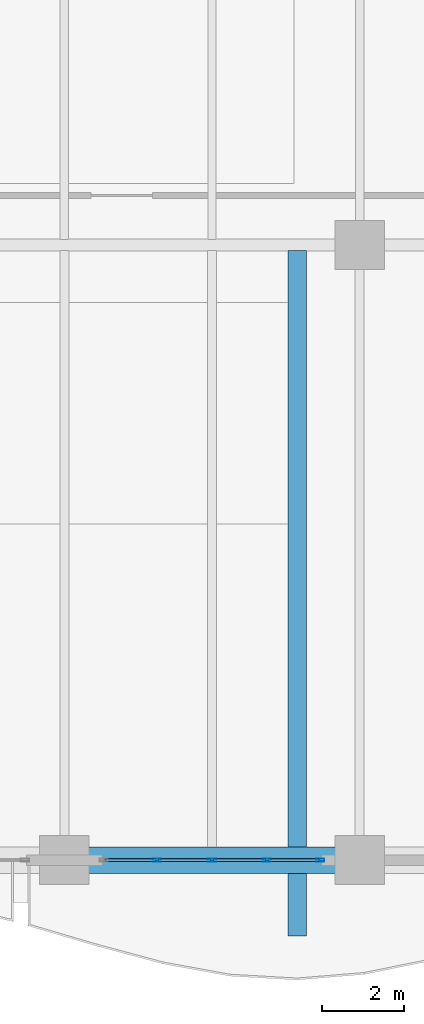
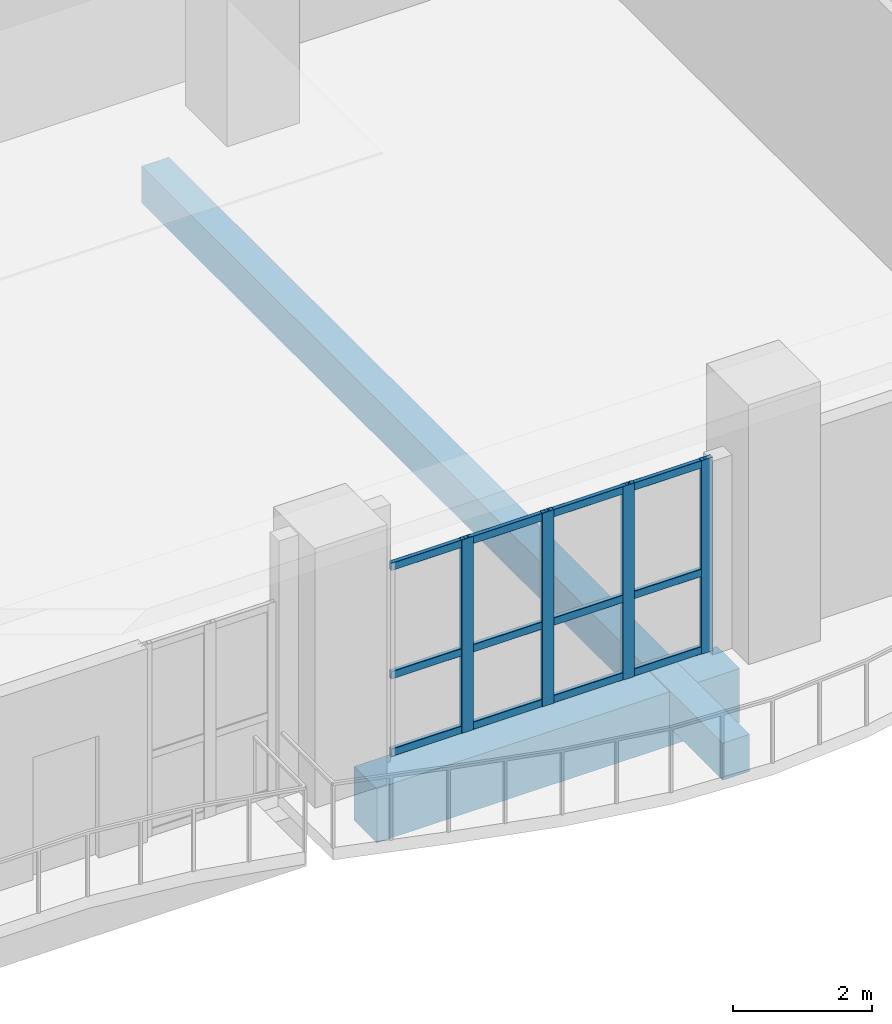
# One storey, part 11 of 37: 16 members, 2 beams, 1 element without a shape of its own.
"""IFC4 building model written with IfcOpenShell, lengths in metres."""

from ifc_helpers import new_model, si_unit, direction, frame, origin, origin_2d, place, context, subcontext, project, spatial, rectangle, hollow_rectangle, extrude, material, layer, layer_set, material_profile, profile_set, type_object, element, aggregate, save


model = new_model("IFC4")

# Units and contexts
model_context = context("Model", 3, precision=1e-05, world=origin(), true_north=direction((0.0, 1.0)))
body_context = subcontext(model_context, "Body", "Model", "MODEL_VIEW")
ifc_project = project(units=[si_unit("LENGTHUNIT", "METRE"), si_unit("AREAUNIT", "SQUARE_METRE"), si_unit("VOLUMEUNIT", "CUBIC_METRE"), si_unit("PLANEANGLEUNIT", "RADIAN"), si_unit("MASSUNIT", "GRAM", prefix="KILO")], contexts=[model_context])

# Site, building, storey
site_placement = place(None, origin())
site = spatial("IfcSite", under=ifc_project, at=site_placement, CompositionType="ELEMENT")
building_placement = place(site_placement, origin())
building = spatial("IfcBuilding", under=site, at=building_placement, Name="Kaelvorn Grand Hotel", CompositionType="ELEMENT")
storey_placement = place(building_placement, frame((0.0, 0.0, 130.550048828125)))
storey = spatial("IfcBuildingStorey", under=building, at=storey_placement, Name="L31", CompositionType="ELEMENT", Elevation=130.550048828125)

# Beams
ifc_material_1 = material(Name="Concrete C40/50", Category="concrete")
ifc_material_profile_1 = material_profile(ifc_material_1, rectangle(XDim=0.449951171875, YDim=0.64990234375, at=origin_2d()), Name="RC RIB 450x650")
ifc_profile_set_1 = profile_set([ifc_material_profile_1], Name="Concrete C40/50")
beam_type_1 = type_object("IfcBeamType", Name="BM-RIB-450x650-C40", PredefinedType="SPANDREL", material=ifc_profile_set_1)
beam_1_placement = place(storey_placement, frame((36.275634765625, -1.85009765625, -0.545166015625), z_axis=(0.0, 1.0, 0.0), x_axis=(-1.0, 0.0, 0.0)))
element("IfcBeam", 1, at=beam_1_placement, inside=storey, type_object=beam_type_1, Name="L31 Cantilevered Balcony Back-Span Rib RB1-2", PredefinedType="SPANDREL", context=body_context, shape_type="SweptSolid", body=[
    extrude(rectangle(XDim=0.449951171875, YDim=0.64990234375, at=origin_2d()), origin(), (0.0, 0.0, 1.0), 16.718994140625),
])
ifc_material_2 = material(Name="Concrete C60/75", Category="concrete")
ifc_material_profile_2 = material_profile(ifc_material_2, rectangle(XDim=0.64990234375, YDim=0.949951171875, at=origin_2d()), Name="RC SPANDREL 650x950")
ifc_profile_set_2 = profile_set([ifc_material_profile_2], Name="Concrete C60/75")
beam_type_2 = type_object("IfcBeamType", Name="BM-SP-650x950-C60", PredefinedType="SPANDREL", material=ifc_profile_set_2)
beam_2_placement = place(storey_placement, frame((31.18505859375, 0.0, -0.715087890625), z_axis=(1.0, 0.0, 0.0), x_axis=(0.0, 1.0, 0.0)))
element("IfcBeam", 2, at=beam_2_placement, inside=storey, type_object=beam_type_2, Name="L31 South Perimeter Spandrel 05", PredefinedType="SPANDREL", context=body_context, shape_type="SweptSolid", body=[
    extrude(rectangle(XDim=0.64990234375, YDim=0.949951171875, at=origin_2d()), origin(), (0.0, 0.0, 1.0), 6.030029296875),
])

# Curtain wall, members
ifc_material_3 = material(Name="Anodised Aluminium", Category="aluminium")
ifc_layer = layer(ifc_material_3, 0.199951171875)
ifc_layer_set = layer_set([ifc_layer], Name="Anodised Aluminium")
curtain_wall_type = type_object("IfcCurtainWallType", Name="CW-SYS3", PredefinedType="NOTDEFINED", material=ifc_layer_set)
curtain_wall_placement = place(storey_placement, origin())
curtain_wall = element("IfcCurtainWall", 3, at=curtain_wall_placement, inside=storey, type_object=curtain_wall_type, Name="L31 Unitised Curtain Wall CW3 (CW-L31-SB2-02)", PredefinedType="NOTDEFINED")
ifc_material_profile_3 = material_profile(ifc_material_3, hollow_rectangle(XDim=0.074951171875, YDim=0.199951171875, WallThickness=0.00390625, InnerFilletRadius=0.00390625, OuterFilletRadius=0.008056640625, at=origin_2d()), Name="ALU MULL 75x200")
ifc_profile_set_3 = profile_set([ifc_material_profile_3], Name="Anodised Aluminium")
member_type_1 = type_object("IfcMemberType", Name="CW-SYS3-MULL", PredefinedType="MULLION", material=ifc_profile_set_3)
member_1_placement = place(storey_placement, frame((32.860107421875, 0.0, 0.0), z_axis=(0.0, 0.0, 1.0), x_axis=(0.0, 1.0, 0.0)))
member_1 = element("IfcMember", 4, at=member_1_placement, type_object=member_type_1, Name="CW3 mullion 2", PredefinedType="MULLION", context=body_context, shape_type="SweptSolid", body=[
    extrude(hollow_rectangle(XDim=0.074951171875, YDim=0.199951171875, WallThickness=0.00390625, InnerFilletRadius=0.00390625, OuterFilletRadius=0.008056640625, at=origin_2d()), origin(), (0.0, 0.0, 1.0), 3.39990234375),
])
member_2_placement = place(storey_placement, frame((34.199951171875, 0.0, 0.0), z_axis=(0.0, 0.0, 1.0), x_axis=(0.0, 1.0, 0.0)))
member_2 = element("IfcMember", 5, at=member_2_placement, type_object=member_type_1, Name="CW3 mullion 3", PredefinedType="MULLION", context=body_context, shape_type="SweptSolid", body=[
    extrude(hollow_rectangle(XDim=0.074951171875, YDim=0.199951171875, WallThickness=0.00390625, InnerFilletRadius=0.00390625, OuterFilletRadius=0.008056640625, at=origin_2d()), origin(), (0.0, 0.0, 1.0), 3.39990234375),
])
member_3_placement = place(storey_placement, frame((35.5400390625, 0.0, 0.0), z_axis=(0.0, 0.0, 1.0), x_axis=(0.0, 1.0, 0.0)))
member_3 = element("IfcMember", 6, at=member_3_placement, type_object=member_type_1, Name="CW3 mullion 4", PredefinedType="MULLION", context=body_context, shape_type="SweptSolid", body=[
    extrude(hollow_rectangle(XDim=0.074951171875, YDim=0.199951171875, WallThickness=0.00390625, InnerFilletRadius=0.00390625, OuterFilletRadius=0.008056640625, at=origin_2d()), origin(), (0.0, 0.0, 1.0), 3.39990234375),
])
member_4_placement = place(storey_placement, frame((36.842529296875, 0.0, 0.0), z_axis=(0.0, 0.0, 1.0), x_axis=(0.0, 1.0, 0.0)))
member_4 = element("IfcMember", 7, at=member_4_placement, type_object=member_type_1, Name="CW3 mullion 5", PredefinedType="MULLION", context=body_context, shape_type="SweptSolid", body=[
    extrude(hollow_rectangle(XDim=0.074951171875, YDim=0.199951171875, WallThickness=0.00390625, InnerFilletRadius=0.00390625, OuterFilletRadius=0.008056640625, at=origin_2d()), origin(), (0.0, 0.0, 1.0), 3.39990234375),
])
ifc_material_profile_4 = material_profile(ifc_material_3, hollow_rectangle(XDim=0.070068359375, YDim=0.135009765625, WallThickness=0.00341796875, InnerFilletRadius=0.00341796875, OuterFilletRadius=0.007080078125, at=origin_2d()), Name="ALU TRAN 70x135")
ifc_profile_set_4 = profile_set([ifc_material_profile_4], Name="Anodised Aluminium")
member_type_2 = type_object("IfcMemberType", Name="CW-SYS3-TRAN", PredefinedType="NOTDEFINED", material=ifc_profile_set_4)
member_5_placement = place(storey_placement, frame((31.594970703125, 0.0, 0.0673828125), z_axis=(1.0, 0.0, 0.0), x_axis=(0.0, 1.0, 0.0)))
member_5 = element("IfcMember", 8, at=member_5_placement, type_object=member_type_2, Name="CW3 transom 1.1", ObjectType="TRANSOM", PredefinedType="USERDEFINED", context=body_context, shape_type="SweptSolid", body=[
    extrude(hollow_rectangle(XDim=0.070068359375, YDim=0.135009765625, WallThickness=0.00341796875, InnerFilletRadius=0.00341796875, OuterFilletRadius=0.007080078125, at=origin_2d()), origin(), (0.0, 0.0, 1.0), 1.2275390625),
])
member_6_placement = place(storey_placement, frame((31.594970703125, 0.0, 1.427978515625), z_axis=(1.0, 0.0, 0.0), x_axis=(0.0, 1.0, 0.0)))
member_6 = element("IfcMember", 9, at=member_6_placement, type_object=member_type_2, Name="CW3 transom 1.2", ObjectType="TRANSOM", PredefinedType="USERDEFINED", context=body_context, shape_type="SweptSolid", body=[
    extrude(hollow_rectangle(XDim=0.070068359375, YDim=0.135009765625, WallThickness=0.00341796875, InnerFilletRadius=0.00341796875, OuterFilletRadius=0.007080078125, at=origin_2d()), origin(), (0.0, 0.0, 1.0), 1.2275390625),
])
member_7_placement = place(storey_placement, frame((31.594970703125, 0.0, 3.33251953125), z_axis=(1.0, 0.0, 0.0), x_axis=(0.0, 1.0, 0.0)))
member_7 = element("IfcMember", 10, at=member_7_placement, type_object=member_type_2, Name="CW3 transom 1.3", ObjectType="TRANSOM", PredefinedType="USERDEFINED", context=body_context, shape_type="SweptSolid", body=[
    extrude(hollow_rectangle(XDim=0.070068359375, YDim=0.135009765625, WallThickness=0.00341796875, InnerFilletRadius=0.00341796875, OuterFilletRadius=0.007080078125, at=origin_2d()), origin(), (0.0, 0.0, 1.0), 1.2275390625),
])
member_8_placement = place(storey_placement, frame((32.8974609375, 0.0, 0.0673828125), z_axis=(1.0, 0.0, 0.0), x_axis=(0.0, 1.0, 0.0)))
member_8 = element("IfcMember", 11, at=member_8_placement, type_object=member_type_2, Name="CW3 transom 2.1", ObjectType="TRANSOM", PredefinedType="USERDEFINED", context=body_context, shape_type="SweptSolid", body=[
    extrude(hollow_rectangle(XDim=0.070068359375, YDim=0.135009765625, WallThickness=0.00341796875, InnerFilletRadius=0.00341796875, OuterFilletRadius=0.007080078125, at=origin_2d()), origin(), (0.0, 0.0, 1.0), 1.26513671875),
])
member_9_placement = place(storey_placement, frame((32.8974609375, 0.0, 1.427978515625), z_axis=(1.0, 0.0, 0.0), x_axis=(0.0, 1.0, 0.0)))
member_9 = element("IfcMember", 12, at=member_9_placement, type_object=member_type_2, Name="CW3 transom 2.2", ObjectType="TRANSOM", PredefinedType="USERDEFINED", context=body_context, shape_type="SweptSolid", body=[
    extrude(hollow_rectangle(XDim=0.070068359375, YDim=0.135009765625, WallThickness=0.00341796875, InnerFilletRadius=0.00341796875, OuterFilletRadius=0.007080078125, at=origin_2d()), origin(), (0.0, 0.0, 1.0), 1.26513671875),
])
member_10_placement = place(storey_placement, frame((32.8974609375, 0.0, 3.33251953125), z_axis=(1.0, 0.0, 0.0), x_axis=(0.0, 1.0, 0.0)))
member_10 = element("IfcMember", 13, at=member_10_placement, type_object=member_type_2, Name="CW3 transom 2.3", ObjectType="TRANSOM", PredefinedType="USERDEFINED", context=body_context, shape_type="SweptSolid", body=[
    extrude(hollow_rectangle(XDim=0.070068359375, YDim=0.135009765625, WallThickness=0.00341796875, InnerFilletRadius=0.00341796875, OuterFilletRadius=0.007080078125, at=origin_2d()), origin(), (0.0, 0.0, 1.0), 1.26513671875),
])
member_11_placement = place(storey_placement, frame((34.237548828125, 0.0, 0.0673828125), z_axis=(1.0, 0.0, 0.0), x_axis=(0.0, 1.0, 0.0)))
member_11 = element("IfcMember", 14, at=member_11_placement, type_object=member_type_2, Name="CW3 transom 3.1", ObjectType="TRANSOM", PredefinedType="USERDEFINED", context=body_context, shape_type="SweptSolid", body=[
    extrude(hollow_rectangle(XDim=0.070068359375, YDim=0.135009765625, WallThickness=0.00341796875, InnerFilletRadius=0.00341796875, OuterFilletRadius=0.007080078125, at=origin_2d()), origin(), (0.0, 0.0, 1.0), 1.264892578125),
])
member_12_placement = place(storey_placement, frame((34.237548828125, 0.0, 1.427978515625), z_axis=(1.0, 0.0, 0.0), x_axis=(0.0, 1.0, 0.0)))
member_12 = element("IfcMember", 15, at=member_12_placement, type_object=member_type_2, Name="CW3 transom 3.2", ObjectType="TRANSOM", PredefinedType="USERDEFINED", context=body_context, shape_type="SweptSolid", body=[
    extrude(hollow_rectangle(XDim=0.070068359375, YDim=0.135009765625, WallThickness=0.00341796875, InnerFilletRadius=0.00341796875, OuterFilletRadius=0.007080078125, at=origin_2d()), origin(), (0.0, 0.0, 1.0), 1.264892578125),
])
member_13_placement = place(storey_placement, frame((34.237548828125, 0.0, 3.33251953125), z_axis=(1.0, 0.0, 0.0), x_axis=(0.0, 1.0, 0.0)))
member_13 = element("IfcMember", 16, at=member_13_placement, type_object=member_type_2, Name="CW3 transom 3.3", ObjectType="TRANSOM", PredefinedType="USERDEFINED", context=body_context, shape_type="SweptSolid", body=[
    extrude(hollow_rectangle(XDim=0.070068359375, YDim=0.135009765625, WallThickness=0.00341796875, InnerFilletRadius=0.00341796875, OuterFilletRadius=0.007080078125, at=origin_2d()), origin(), (0.0, 0.0, 1.0), 1.264892578125),
])
member_14_placement = place(storey_placement, frame((35.577392578125, 0.0, 0.0673828125), z_axis=(1.0, 0.0, 0.0), x_axis=(0.0, 1.0, 0.0)))
member_14 = element("IfcMember", 17, at=member_14_placement, type_object=member_type_2, Name="CW3 transom 4.1", ObjectType="TRANSOM", PredefinedType="USERDEFINED", context=body_context, shape_type="SweptSolid", body=[
    extrude(hollow_rectangle(XDim=0.070068359375, YDim=0.135009765625, WallThickness=0.00341796875, InnerFilletRadius=0.00341796875, OuterFilletRadius=0.007080078125, at=origin_2d()), origin(), (0.0, 0.0, 1.0), 1.2275390625),
])
member_15_placement = place(storey_placement, frame((35.577392578125, 0.0, 1.427978515625), z_axis=(1.0, 0.0, 0.0), x_axis=(0.0, 1.0, 0.0)))
member_15 = element("IfcMember", 18, at=member_15_placement, type_object=member_type_2, Name="CW3 transom 4.2", ObjectType="TRANSOM", PredefinedType="USERDEFINED", context=body_context, shape_type="SweptSolid", body=[
    extrude(hollow_rectangle(XDim=0.070068359375, YDim=0.135009765625, WallThickness=0.00341796875, InnerFilletRadius=0.00341796875, OuterFilletRadius=0.007080078125, at=origin_2d()), origin(), (0.0, 0.0, 1.0), 1.2275390625),
])
member_16_placement = place(storey_placement, frame((35.577392578125, 0.0, 3.33251953125), z_axis=(1.0, 0.0, 0.0), x_axis=(0.0, 1.0, 0.0)))
member_16 = element("IfcMember", 19, at=member_16_placement, type_object=member_type_2, Name="CW3 transom 4.3", ObjectType="TRANSOM", PredefinedType="USERDEFINED", context=body_context, shape_type="SweptSolid", body=[
    extrude(hollow_rectangle(XDim=0.070068359375, YDim=0.135009765625, WallThickness=0.00341796875, InnerFilletRadius=0.00341796875, OuterFilletRadius=0.007080078125, at=origin_2d()), origin(), (0.0, 0.0, 1.0), 1.2275390625),
])
aggregate(curtain_wall, [member_1, member_2, member_3, member_4, member_5, member_6, member_7, member_8, member_9, member_10, member_11, member_12, member_13, member_14, member_15, member_16])

save(model, "model.ifc")
